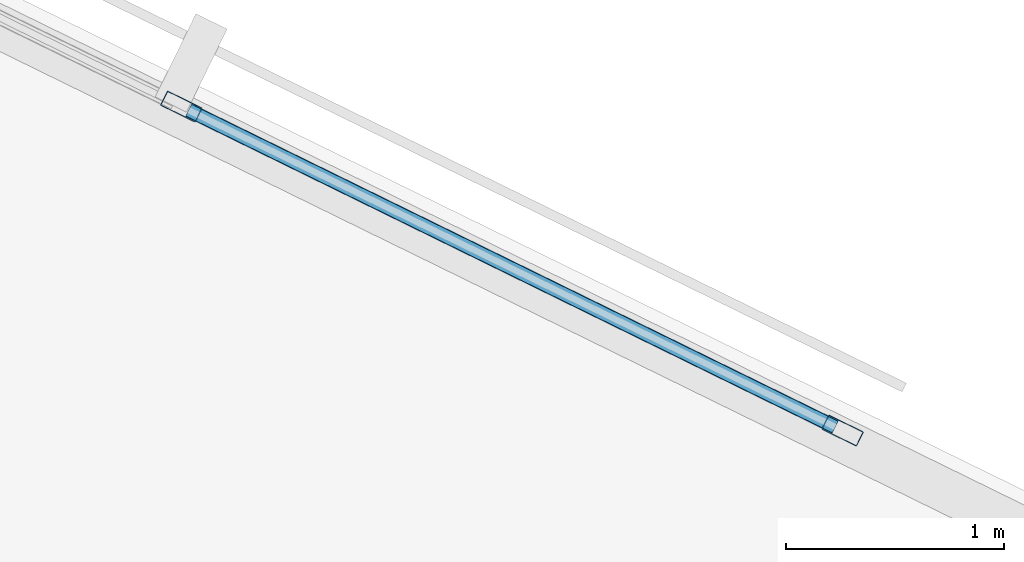
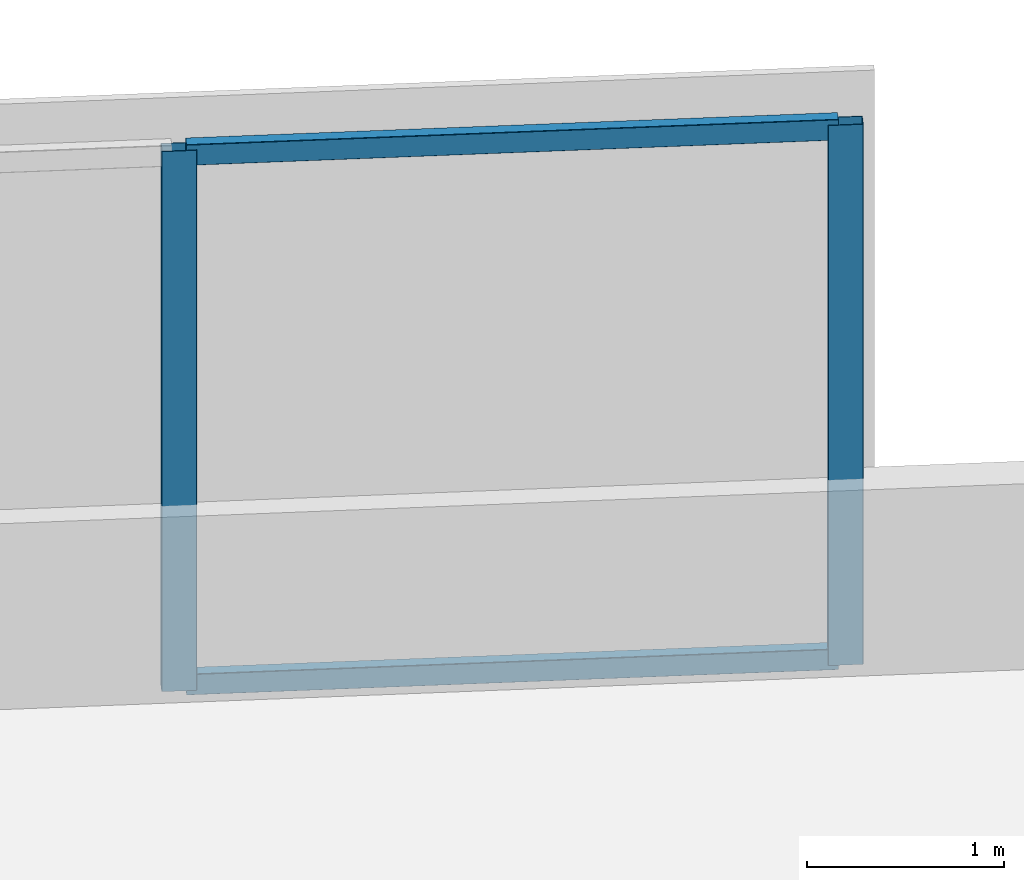
# One storey, part 2 of 18: 4 members, 1 element without a shape of its own.
"""IFC4 building model written with IfcOpenShell, lengths in metres."""

from ifc_helpers import new_model, si_unit, direction, frame, origin, origin_2d, place, context, subcontext, project, spatial, hollow_rectangle, extrude, material, material_profile, profile_set, type_object, element, aggregate, save


model = new_model("IFC4")

# Units and contexts
model_context = context("Model", 3, precision=1e-05, world=origin(), true_north=direction((0.0, 1.0)))
body_context = subcontext(model_context, "Body", "Model", "MODEL_VIEW")
ifc_project = project(units=[si_unit("LENGTHUNIT", "METRE"), si_unit("AREAUNIT", "SQUARE_METRE"), si_unit("VOLUMEUNIT", "CUBIC_METRE"), si_unit("PLANEANGLEUNIT", "RADIAN"), si_unit("MASSUNIT", "GRAM", prefix="KILO")], contexts=[model_context])

# Site, building, storey
site_placement = place(None, origin())
site = spatial("IfcSite", under=ifc_project, at=site_placement, CompositionType="ELEMENT")
building_placement = place(site_placement, origin())
building = spatial("IfcBuilding", under=site, at=building_placement, Name="Narakoshi Arena Tower", CompositionType="ELEMENT")
storey_placement = place(building_placement, frame((0.0, 0.0, 106.5)))
storey = spatial("IfcBuildingStorey", under=building, at=storey_placement, Name="L28", CompositionType="ELEMENT", Elevation=106.5)

# Curtain wall, members
ifc_material = material(Name="Anodised bronze aluminium 6063-T6", Category="aluminium")
curtain_wall_type = type_object("IfcCurtainWallType", Name="CW-HYP-LOW", PredefinedType="NOTDEFINED", material=ifc_material)
curtain_wall_placement = place(storey_placement, origin())
curtain_wall = element("IfcCurtainWall", 1, at=curtain_wall_placement, inside=storey, type_object=curtain_wall_type, Name="L28 Folded Hypotenuse Curtain Wall 2-1", PredefinedType="NOTDEFINED")
ifc_material_profile_1 = material_profile(ifc_material, hollow_rectangle(XDim=0.074951171875, YDim=0.179931640625, WallThickness=0.00390625, OuterFilletRadius=0.0048828125, at=origin_2d()), Name="MUL180x75x4")
ifc_profile_set_1 = profile_set([ifc_material_profile_1], Name="Anodised bronze aluminium 6063-T6")
member_type_1 = type_object("IfcMemberType", Name="MEM-MUL-180", PredefinedType="MULLION", material=ifc_profile_set_1)
member_1_placement = place(storey_placement, frame((87.598876953125, 62.51513671875, 0.0), z_axis=(0.0, 0.0, 1.0), x_axis=(-0.440004510198, -0.89799556291, 0.0)))
member_1 = element("IfcMember", 2, at=member_1_placement, type_object=member_type_1, Name="CW-01 mullion 1", PredefinedType="MULLION", context=body_context, shape_type="SweptSolid", body=[
    extrude(hollow_rectangle(XDim=0.074951171875, YDim=0.179931640625, WallThickness=0.00390625, OuterFilletRadius=0.0048828125, at=origin_2d()), origin(), (0.0, 0.0, 1.0), 3.340087890625),
])
member_2_placement = place(storey_placement, frame((84.559326171875, 64.00439453125, 0.0), z_axis=(0.0, 0.0, 1.0), x_axis=(-0.440004510198, -0.89799556291, 0.0)))
member_2 = element("IfcMember", 3, at=member_2_placement, type_object=member_type_1, Name="CW-01 mullion 2", PredefinedType="MULLION", context=body_context, shape_type="SweptSolid", body=[
    extrude(hollow_rectangle(XDim=0.074951171875, YDim=0.179931640625, WallThickness=0.00390625, OuterFilletRadius=0.0048828125, at=origin_2d()), origin(), (0.0, 0.0, 1.0), 3.340087890625),
])
ifc_material_profile_2 = material_profile(ifc_material, hollow_rectangle(XDim=0.06494140625, YDim=0.1298828125, WallThickness=0.00390625, OuterFilletRadius=0.0048828125, at=origin_2d()), Name="TRN130x65x4")
ifc_profile_set_2 = profile_set([ifc_material_profile_2], Name="Anodised bronze aluminium 6063-T6")
member_type_2 = type_object("IfcMemberType", Name="MEM-TRN-130", PredefinedType="USERDEFINED", material=ifc_profile_set_2)
member_3_placement = place(storey_placement, frame((87.565185546875, 62.531494140625, 0.032470703125), z_axis=(-0.897968733038, 0.44005926247, 0.0), x_axis=(-0.44005926247, -0.897968733038, 0.0)))
member_3 = element("IfcMember", 4, at=member_3_placement, type_object=member_type_2, Name="CW-01 transom 1.1", ObjectType="TRANSOM", PredefinedType="USERDEFINED", context=body_context, shape_type="SweptSolid", body=[
    extrude(hollow_rectangle(XDim=0.06494140625, YDim=0.1298828125, WallThickness=0.00390625, OuterFilletRadius=0.0048828125, at=origin_2d()), origin(), (0.0, 0.0, 1.0), 3.309814453125),
])
member_4_placement = place(storey_placement, frame((87.565185546875, 62.531494140625, 3.3076171875), z_axis=(-0.897968733038, 0.44005926247, 0.0), x_axis=(-0.44005926247, -0.897968733038, 0.0)))
member_4 = element("IfcMember", 5, at=member_4_placement, type_object=member_type_2, Name="CW-01 transom 1.2", ObjectType="TRANSOM", PredefinedType="USERDEFINED", context=body_context, shape_type="SweptSolid", body=[
    extrude(hollow_rectangle(XDim=0.06494140625, YDim=0.1298828125, WallThickness=0.00390625, OuterFilletRadius=0.0048828125, at=origin_2d()), origin(), (0.0, 0.0, 1.0), 3.309814453125),
])
aggregate(curtain_wall, [member_1, member_2, member_3, member_4])

save(model, "model.ifc")
